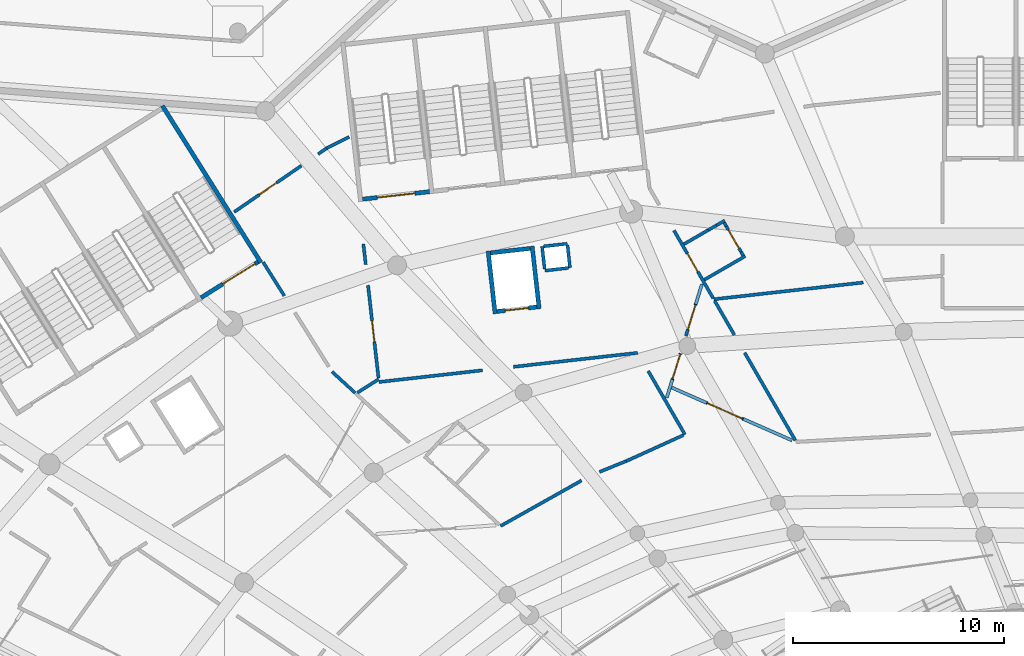
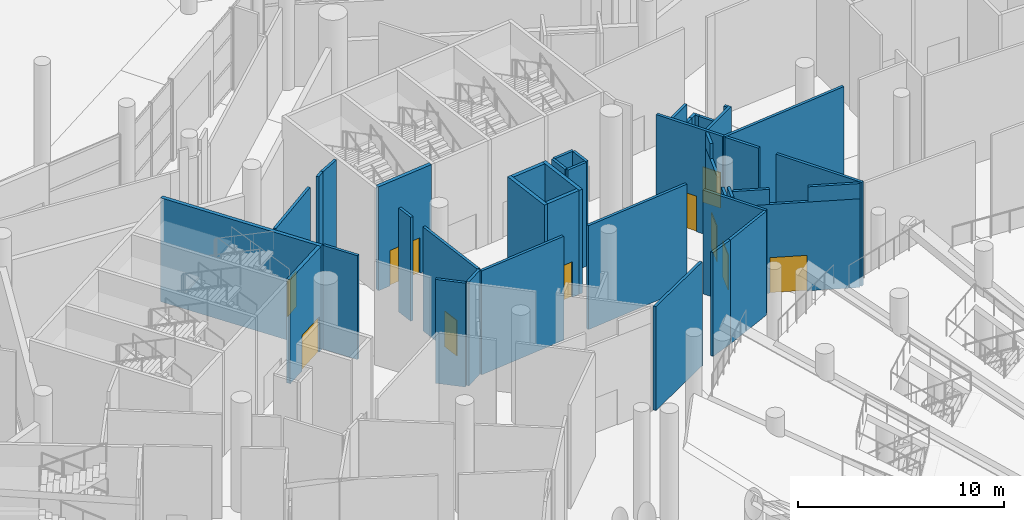
# One storey, part 140 of 255: 43 walls, 10 doors, 10 openings.
"""IFC4 building model written with IfcOpenShell, lengths in metres."""

from ifc_helpers import new_model, si_unit, direction, frame, frame_2d, origin, place, context, subcontext, project, spatial, rectangle, extrude, material, layer, layer_set, type_object, element, fill, save


model = new_model("IFC4")

# Units and contexts
model_context = context("Model", 3, precision=1e-05, world=origin(), true_north=direction((0.0, 1.0)))
body_context = subcontext(model_context, "Body", "Model", "MODEL_VIEW")
ifc_project = project(units=[si_unit("LENGTHUNIT", "METRE"), si_unit("AREAUNIT", "SQUARE_METRE"), si_unit("VOLUMEUNIT", "CUBIC_METRE"), si_unit("PLANEANGLEUNIT", "RADIAN"), si_unit("MASSUNIT", "GRAM", prefix="KILO")], contexts=[model_context])

# Site, building, storey
site_placement = place(None, origin())
site = spatial("IfcSite", under=ifc_project, at=site_placement, CompositionType="ELEMENT")
building_placement = place(site_placement, origin())
building = spatial("IfcBuilding", under=site, at=building_placement, Name="Meseta Stadium", CompositionType="ELEMENT")
storey_placement = place(building_placement, origin())
storey = spatial("IfcBuildingStorey", under=building, at=storey_placement, Name="L00", CompositionType="ELEMENT", Elevation=0.0)

# Wall, opening, door
ifc_material_1 = material(Name="Concrete C40/50", Category="concrete")
ifc_layer_1 = layer(ifc_material_1, 0.199951171875)
ifc_layer_set_1 = layer_set([ifc_layer_1], Name="Core shaft wall 200")
wall_type_1 = type_object("IfcWallType", Name="Core shaft wall 200", PredefinedType="SHEAR", material=ifc_layer_set_1)
wall_1_placement = place(storey_placement, frame((-54.2587890625, 92.03955078125, 0.0), z_axis=(0.0, 0.0, 1.0), x_axis=(-0.993717005286, -0.11192190762, 0.0)))
wall_1 = element("IfcWall", 1, at=wall_1_placement, inside=storey, type_object=wall_type_1, Name="Core 12 L00 stair B2 inner end wall", PredefinedType="SHEAR", context=body_context, shape_type="SweptSolid", body=[
    extrude(rectangle(XDim=3.199951171875, YDim=0.199951171875, at=frame_2d((1.60009765625, 0.0))), origin(), (0.0, 0.0, 1.0), 6.14990234375),
])
opening_1_placement = place(wall_1_placement, frame((0.699951171875, 0.0, 0.0)))
opening_1 = element("IfcOpeningElement", 2, at=opening_1_placement, cuts=wall_1, Name="Opening D170", PredefinedType="OPENING", context=body_context, shape_type="SweptSolid", body=[
    extrude(rectangle(XDim=1.800048828125, YDim=2.10009765625, at=frame_2d((0.89990234375, 1.050048828125))), frame((0.0, 0.10986328125, 0.0), z_axis=(0.0, -1.0, 0.0), x_axis=(1.0, 0.0, 0.0)), (0.0, 0.0, 1.0), 0.219970703125),
])
ifc_material_2 = material(Name="Steel", Category="steel")
door_type_1 = type_object("IfcDoorType", Name="Stair door 1800x2100", OperationType="DOUBLE_DOOR_SINGLE_SWING", PredefinedType="DOOR", material=ifc_material_2)
door_1_placement = place(opening_1_placement, origin())
door_1 = element("IfcDoor", 3, at=door_1_placement, inside=storey, type_object=door_type_1, Name="Stair B2 door 12 L00", OperationType="DOUBLE_DOOR_SINGLE_SWING", OverallHeight=2.10009765625, OverallWidth=1.800048828125, PredefinedType="DOOR", context=body_context, shape_type="SweptSolid", body=[
    extrude(rectangle(XDim=1.800048828125, YDim=2.10009765625, at=frame_2d((0.89990234375, 1.050048828125))), frame((0.0, 0.02490234375, 0.0), z_axis=(0.0, -1.0, 0.0), x_axis=(1.0, 0.0, 0.0)), (0.0, 0.0, 1.0), 0.050048828125),
])
fill(opening_1, door_1)

# Walls
for number, where, z_axis, x_axis, name in (
    (4, (-49.388671875, 89.45361328125, 0.0), (0.0, 0.0, 1.0), (0.111976588553, -0.993710845073, 0.0), "Core 12 L00 lift shaft wall left"),
    (5, (-51.4755859375, 89.218505859375, 0.0), (0.0, 0.0, 1.0), (0.111976588553, -0.993710845073, 0.0), "Core 12 L00 lift shaft wall right"),
):
    element("IfcWall", number, at=place(storey_placement, frame(where, z_axis=z_axis, x_axis=x_axis)), inside=storey, type_object=wall_type_1, Name=name, PredefinedType="SHEAR", context=body_context, shape_type="SweptSolid", body=[
        extrude(rectangle(XDim=3.0, YDim=0.199951171875, at=frame_2d((1.5, 0.0))), origin(), (0.0, 0.0, 1.0), 6.14990234375),
    ])
wall_2_placement = place(storey_placement, frame((-49.476806640625, 89.343017578125, 0.0), z_axis=(0.0, 0.0, 1.0), x_axis=(-0.993718105662, -0.11191213732, 0.0)))
element("IfcWall", 6, at=wall_2_placement, inside=storey, type_object=wall_type_1, Name="Core 12 L00 lift shaft back wall", PredefinedType="SHEAR", context=body_context, shape_type="SweptSolid", body=[
    extrude(rectangle(XDim=1.900146484375, YDim=0.199951171875, at=frame_2d((0.9501953125, 0.0))), origin(), (0.0, 0.0, 1.0), 6.14990234375),
])

# Wall, opening, door
wall_3_placement = place(storey_placement, frame((-49.163330078125, 86.560791015625, 0.0), z_axis=(0.0, 0.0, 1.0), x_axis=(-0.993703808847, -0.112039012324, 0.0)))
wall_3 = element("IfcWall", 7, at=wall_3_placement, inside=storey, type_object=wall_type_1, Name="Core 12 L00 lift shaft front wall", PredefinedType="SHEAR", context=body_context, shape_type="SweptSolid", body=[
    extrude(rectangle(XDim=1.900146484375, YDim=0.199951171875, at=frame_2d((0.9501953125, 0.0))), origin(), (0.0, 0.0, 1.0), 6.14990234375),
])
opening_2_placement = place(wall_3_placement, frame((0.39990234375, 0.0, 0.0)))
opening_2 = element("IfcOpeningElement", 8, at=opening_2_placement, cuts=wall_3, Name="Opening LD64", PredefinedType="OPENING", context=body_context, shape_type="SweptSolid", body=[
    extrude(rectangle(XDim=1.10009765625, YDim=2.10009765625, at=frame_2d((0.550048828125, 1.050048828125))), frame((0.0, 0.10986328125, 0.0), z_axis=(0.0, -1.0, 0.0), x_axis=(1.0, 0.0, 0.0)), (0.0, 0.0, 1.0), 0.219970703125),
])
ifc_material_3 = material(Name="Steel", Category="steel")
door_type_2 = type_object("IfcDoorType", Name="Lift landing door 1100x2100", OperationType="SLIDING_TO_LEFT", PredefinedType="DOOR", material=ifc_material_3)
door_2_placement = place(opening_2_placement, origin())
door_2 = element("IfcDoor", 9, at=door_2_placement, inside=storey, type_object=door_type_2, Name="Lift landing door LD64", OperationType="SLIDING_TO_RIGHT", OverallHeight=2.10009765625, OverallWidth=1.10009765625, PredefinedType="DOOR", context=body_context, shape_type="SweptSolid", body=[
    extrude(rectangle(XDim=1.10009765625, YDim=2.10009765625, at=frame_2d((0.550048828125, 1.050048828125))), frame((0.0, 0.02490234375, 0.0), z_axis=(0.0, -1.0, 0.0), x_axis=(1.0, 0.0, 0.0)), (0.0, 0.0, 1.0), 0.050048828125),
])
fill(opening_2, door_2)

# Wall
wall_4_placement = place(storey_placement, frame((-66.9501953125, 96.123291015625, 0.0), z_axis=(0.0, 0.0, 1.0), x_axis=(0.532032334759, -0.846724036963, 0.0)))
element("IfcWall", 10, at=wall_4_placement, inside=storey, type_object=wall_type_1, Name="Core 13 L00 stair wall A-side", PredefinedType="SHEAR", context=body_context, shape_type="SweptSolid", body=[
    extrude(rectangle(XDim=8.800048828125, YDim=0.199951171875, at=frame_2d((4.39990234375, 0.0))), origin(), (0.0, 0.0, 1.0), 6.14990234375),
])

# Wall, opening, door
wall_5_placement = place(storey_placement, frame((-62.40625, 88.70361328125, 0.0), z_axis=(0.0, 0.0, 1.0), x_axis=(-0.846735733015, -0.532013720158, 0.0)))
wall_5 = element("IfcWall", 11, at=wall_5_placement, inside=storey, type_object=wall_type_1, Name="Core 13 L00 stair A1 inner end wall", PredefinedType="SHEAR", context=body_context, shape_type="SweptSolid", body=[
    extrude(rectangle(XDim=3.199951171875, YDim=0.199951171875, at=frame_2d((1.60009765625, 0.0))), origin(), (0.0, 0.0, 1.0), 6.14990234375),
])
opening_3_placement = place(wall_5_placement, frame((0.177978515625, 0.0, 0.0)))
opening_3 = element("IfcOpeningElement", 12, at=opening_3_placement, cuts=wall_5, Name="Opening D179", PredefinedType="OPENING", context=body_context, shape_type="SweptSolid", body=[
    extrude(rectangle(XDim=1.800048828125, YDim=2.10009765625, at=frame_2d((0.89990234375, 1.050048828125))), frame((0.0, 0.10986328125, 0.0), z_axis=(0.0, -1.0, 0.0), x_axis=(1.0, 0.0, 0.0)), (0.0, 0.0, 1.0), 0.219970703125),
])
door_3_placement = place(opening_3_placement, origin())
door_3 = element("IfcDoor", 13, at=door_3_placement, inside=storey, type_object=door_type_1, Name="Stair A1 door 13 L00", OperationType="DOUBLE_DOOR_SINGLE_SWING", OverallHeight=2.10009765625, OverallWidth=1.800048828125, PredefinedType="DOOR", context=body_context, shape_type="SweptSolid", body=[
    extrude(rectangle(XDim=1.800048828125, YDim=2.10009765625, at=frame_2d((0.89990234375, 1.050048828125))), frame((0.0, 0.02490234375, 0.0), z_axis=(0.0, -1.0, 0.0), x_axis=(1.0, 0.0, 0.0)), (0.0, 0.0, 1.0), 0.050048828125),
])
fill(opening_3, door_3)

# Walls
ifc_material_4 = material(Name="Masonry blockwork", Category="masonry")
ifc_layer_2 = layer(ifc_material_4, 0.14990234375)
ifc_layer_set_2 = layer_set([ifc_layer_2], Name="Partition 150")
wall_type_2 = type_object("IfcWallType", Name="Partition 150", PredefinedType="PARTITIONING", material=ifc_layer_set_2)
wall_6_placement = place(storey_placement, frame((-40.75830078125, 86.9287109375, 0.0), z_axis=(0.0, 0.0, 1.0), x_axis=(0.993792986052, 0.111245228541, 0.0)))
element("IfcWall", 14, at=wall_6_placement, inside=storey, type_object=wall_type_2, Name="Partition L00 L00-cell10-1-0", PredefinedType="PARTITIONING", context=body_context, shape_type="SweptSolid", body=[
    extrude(rectangle(XDim=7.145751953125, YDim=0.14990234375, at=frame_2d((3.57275390625, 0.0))), origin(), (0.0, 0.0, 1.0), 6.14990234375),
])
wall_7_placement = place(storey_placement, frame((-36.884521484375, 80.226806640625, 0.0), z_axis=(0.0, 0.0, 1.0), x_axis=(-0.500421453723, 0.865781940591, 0.0)))
element("IfcWall", 15, at=wall_7_placement, inside=storey, type_object=wall_type_2, Name="Partition L00 L00-cell10-1-0", PredefinedType="PARTITIONING", context=body_context, shape_type="SweptSolid", body=[
    extrude(rectangle(XDim=4.806396484375, YDim=0.14990234375, at=frame_2d((2.4033203125, 0.0))), origin(), (0.0, 0.0, 1.0), 6.14990234375),
])
wall_8_placement = place(storey_placement, frame((-39.779296875, 85.23486328125, 0.0), z_axis=(0.0, 0.0, 1.0), x_axis=(-0.500425153996, 0.865779801825, 0.0)))
element("IfcWall", 16, at=wall_8_placement, inside=storey, type_object=wall_type_2, Name="Partition L00 L00-cell10-1-0", PredefinedType="PARTITIONING", context=body_context, shape_type="SweptSolid", body=[
    extrude(rectangle(XDim=1.874267578125, YDim=0.14990234375, at=frame_2d((0.93701171875, 0.0))), origin(), (0.0, 0.0, 1.0), 6.14990234375),
])

# Wall, opening, door
wall_9_placement = place(storey_placement, frame((-40.783447265625, 86.9716796875, 0.0), z_axis=(0.0, 0.0, 1.0), x_axis=(-0.50040316576, 0.865792510765, 0.0)))
wall_9 = element("IfcWall", 17, at=wall_9_placement, inside=storey, type_object=wall_type_2, Name="Partition L00 L00-cell10-2-0", PredefinedType="PARTITIONING", context=body_context, shape_type="SweptSolid", body=[
    extrude(rectangle(XDim=3.72509765625, YDim=0.14990234375, at=frame_2d((1.862548828125, 0.0))), origin(), (0.0, 0.0, 1.0), 6.14990234375),
])
opening_4_placement = place(wall_9_placement, frame((1.449951171875, 0.0, 0.0)))
opening_4 = element("IfcOpeningElement", 18, at=opening_4_placement, cuts=wall_9, Name="Opening D563", PredefinedType="OPENING", context=body_context, shape_type="SweptSolid", body=[
    extrude(rectangle(XDim=1.0, YDim=2.10009765625, at=frame_2d((0.5, 1.050048828125))), frame((0.0, 0.0849609375, 0.0), z_axis=(0.0, -1.0, 0.0), x_axis=(1.0, 0.0, 0.0)), (0.0, 0.0, 1.0), 0.169921875),
])
ifc_material_5 = material(Name="Steel", Category="steel")
door_type_3 = type_object("IfcDoorType", Name="Fire door 1000x2100 EI2 60", OperationType="NOTDEFINED", PredefinedType="DOOR", material=ifc_material_5)
door_4_placement = place(opening_4_placement, origin())
door_4 = element("IfcDoor", 19, at=door_4_placement, inside=storey, type_object=door_type_3, Name="Door D563", OperationType="SINGLE_SWING_RIGHT", OverallHeight=2.10009765625, OverallWidth=1.0, PredefinedType="DOOR", context=body_context, shape_type="SweptSolid", body=[
    extrude(rectangle(XDim=1.0, YDim=2.10009765625, at=frame_2d((0.5, 1.050048828125))), frame((0.0, 0.02490234375, 0.0), z_axis=(0.0, -1.0, 0.0), x_axis=(1.0, 0.0, 0.0)), (0.0, 0.0, 1.0), 0.050048828125),
])
fill(opening_4, door_4)

# Walls
wall_10_placement = place(storey_placement, frame((-56.66162109375, 82.998779296875, 0.0), z_axis=(0.0, 0.0, 1.0), x_axis=(0.993712870511, 0.111958612801, 0.0)))
element("IfcWall", 20, at=wall_10_placement, inside=storey, type_object=wall_type_2, Name="Partition L00 L00-cell11-1-0", PredefinedType="PARTITIONING", context=body_context, shape_type="SweptSolid", body=[
    extrude(rectangle(XDim=4.94775390625, YDim=0.14990234375, at=frame_2d((2.473876953125, 0.0))), origin(), (0.0, 0.0, 1.0), 6.14990234375),
])
wall_11_placement = place(storey_placement, frame((-50.269775390625, 83.718994140625, 0.0), z_axis=(0.0, 0.0, 1.0), x_axis=(0.993712058641, 0.1119658185, 0.0)))
element("IfcWall", 21, at=wall_11_placement, inside=storey, type_object=wall_type_2, Name="Partition L00 L00-cell11-1-0", PredefinedType="PARTITIONING", context=body_context, shape_type="SweptSolid", body=[
    extrude(rectangle(XDim=5.9375, YDim=0.14990234375, at=frame_2d((2.96875, 0.0))), origin(), (0.0, 0.0, 1.0), 6.14990234375),
])
wall_12_placement = place(storey_placement, frame((-43.871337890625, 83.52197265625, 0.0), z_axis=(0.0, 0.0, 1.0), x_axis=(0.500464379509, -0.865757128092, 0.0)))
element("IfcWall", 22, at=wall_12_placement, inside=storey, type_object=wall_type_2, Name="Partition L00 L00-cell11-1-0", PredefinedType="PARTITIONING", context=body_context, shape_type="SweptSolid", body=[
    extrude(rectangle(XDim=3.484130859375, YDim=0.14990234375, at=frame_2d((1.7421875, 0.0))), origin(), (0.0, 0.0, 1.0), 6.14990234375),
])
wall_13_placement = place(storey_placement, frame((-42.196533203125, 80.474365234375, 0.0), z_axis=(0.0, 0.0, 1.0), x_axis=(-0.91056221748, -0.413372045617, 0.0)))
element("IfcWall", 23, at=wall_13_placement, inside=storey, type_object=wall_type_2, Name="Partition L00 L00-cell11-1-0", PredefinedType="PARTITIONING", context=body_context, shape_type="SweptSolid", body=[
    extrude(rectangle(XDim=2.988525390625, YDim=0.14990234375, at=frame_2d((1.494140625, 0.0))), origin(), (0.0, 0.0, 1.0), 6.14990234375),
])
wall_14_placement = place(storey_placement, frame((-44.917724609375, 79.239013671875, 0.0), z_axis=(0.0, 0.0, 1.0), x_axis=(-0.92776145189, -0.373173804529, 0.0)))
element("IfcWall", 24, at=wall_14_placement, inside=storey, type_object=wall_type_2, Name="Partition L00 L00-cell11-1-0", PredefinedType="PARTITIONING", context=body_context, shape_type="SweptSolid", body=[
    extrude(rectangle(XDim=1.36865234375, YDim=0.14990234375, at=frame_2d((0.684326171875, 0.0))), origin(), (0.0, 0.0, 1.0), 6.14990234375),
])
wall_15_placement = place(storey_placement, frame((-47.0380859375, 78.318115234375, 0.0), z_axis=(0.0, 0.0, 1.0), x_axis=(-0.871726265014, -0.489993182487, 0.0)))
element("IfcWall", 25, at=wall_15_placement, inside=storey, type_object=wall_type_2, Name="Partition L00 L00-cell11-1-0", PredefinedType="PARTITIONING", context=body_context, shape_type="SweptSolid", body=[
    extrude(rectangle(XDim=4.4111328125, YDim=0.14990234375, at=frame_2d((2.20556640625, 0.0))), origin(), (0.0, 0.0, 1.0), 6.14990234375),
])
wall_16_placement = place(storey_placement, frame((-57.687744140625, 82.4873046875, 0.0), z_axis=(0.0, 0.0, 1.0), x_axis=(0.844198175742, 0.536031193192, 0.0)))
element("IfcWall", 26, at=wall_16_placement, inside=storey, type_object=wall_type_2, Name="Partition L00 L00-cell11-1-0", PredefinedType="PARTITIONING", context=body_context, shape_type="SweptSolid", body=[
    extrude(rectangle(XDim=1.19775390625, YDim=0.14990234375, at=frame_2d((0.598876953125, 0.0))), origin(), (0.0, 0.0, 1.0), 6.14990234375),
])

# Wall, opening, door
wall_17_placement = place(storey_placement, frame((-60.348388671875, 93.272216796875, 0.0), z_axis=(0.0, 0.0, 1.0), x_axis=(-0.823118384127, -0.567869814053, 0.0)))
wall_17 = element("IfcWall", 27, at=wall_17_placement, inside=storey, type_object=wall_type_2, Name="Partition L00 L00-cell11-2-0", PredefinedType="PARTITIONING", context=body_context, shape_type="SweptSolid", body=[
    extrude(rectangle(XDim=3.876708984375, YDim=0.14990234375, at=frame_2d((1.9384765625, 0.0))), origin(), (0.0, 0.0, 1.0), 6.14990234375),
])
opening_5_placement = place(wall_17_placement, frame((1.426513671875, 0.0, 0.0)))
opening_5 = element("IfcOpeningElement", 28, at=opening_5_placement, cuts=wall_17, Name="Opening D567", PredefinedType="OPENING", context=body_context, shape_type="SweptSolid", body=[
    extrude(rectangle(XDim=1.0, YDim=2.10009765625, at=frame_2d((0.5, 1.050048828125))), frame((0.0, 0.0849609375, 0.0), z_axis=(0.0, -1.0, 0.0), x_axis=(1.0, 0.0, 0.0)), (0.0, 0.0, 1.0), 0.169921875),
])
door_5_placement = place(opening_5_placement, origin())
door_5 = element("IfcDoor", 29, at=door_5_placement, inside=storey, type_object=door_type_3, Name="Door D567", OperationType="SINGLE_SWING_LEFT", OverallHeight=2.10009765625, OverallWidth=1.0, PredefinedType="DOOR", context=body_context, shape_type="SweptSolid", body=[
    extrude(rectangle(XDim=1.0, YDim=2.10009765625, at=frame_2d((0.5, 1.050048828125))), frame((0.0, 0.02490234375, 0.0), z_axis=(0.0, -1.0, 0.0), x_axis=(1.0, 0.0, 0.0)), (0.0, 0.0, 1.0), 0.050048828125),
])
fill(opening_5, door_5)

# Walls
wall_18_placement = place(storey_placement, frame((-59.55078125, 93.822509765625, 0.0), z_axis=(0.0, 0.0, 1.0), x_axis=(0.823188427996, 0.567768273165, 0.0)))
element("IfcWall", 30, at=wall_18_placement, inside=storey, type_object=wall_type_2, Name="Partition L00 L00-cell11-2-0", PredefinedType="PARTITIONING", context=body_context, shape_type="SweptSolid", body=[
    extrude(rectangle(XDim=0.484619140625, YDim=0.14990234375, at=frame_2d((0.2421875, 0.0))), origin(), (0.0, 0.0, 1.0), 6.14990234375),
])
wall_19_placement = place(storey_placement, frame((-59.15185546875, 94.09765625, 0.0), z_axis=(0.0, 0.0, 1.0), x_axis=(0.89288454256, 0.450285680049, 0.0)))
element("IfcWall", 31, at=wall_19_placement, inside=storey, type_object=wall_type_2, Name="Partition L00 L00-cell11-2-0", PredefinedType="PARTITIONING", context=body_context, shape_type="SweptSolid", body=[
    extrude(rectangle(XDim=1.20703125, YDim=0.14990234375, at=frame_2d((0.603515625, 0.0))), origin(), (0.0, 0.0, 1.0), 6.14990234375),
])
wall_20_placement = place(storey_placement, frame((-57.790283203125, 82.4794921875, 0.0), z_axis=(0.0, 0.0, 1.0), x_axis=(-0.737580634044, 0.675259067531, 0.0)))
element("IfcWall", 32, at=wall_20_placement, inside=storey, type_object=wall_type_2, Name="Partition L00 L00-cell11-2-0", PredefinedType="PARTITIONING", context=body_context, shape_type="SweptSolid", body=[
    extrude(rectangle(XDim=1.496337890625, YDim=0.14990234375, at=frame_2d((0.748046875, 0.0))), origin(), (0.0, 0.0, 1.0), 6.14990234375),
])
wall_21_placement = place(storey_placement, frame((-61.15673828125, 87.091064453125, 0.0), z_axis=(0.0, 0.0, 1.0), x_axis=(-0.532052497691, 0.84671136741, 0.0)))
element("IfcWall", 33, at=wall_21_placement, inside=storey, type_object=wall_type_2, Name="Partition L00 L00-cell11-2-0", PredefinedType="PARTITIONING", context=body_context, shape_type="SweptSolid", body=[
    extrude(rectangle(XDim=1.89013671875, YDim=0.14990234375, at=frame_2d((0.945068359375, 0.0))), origin(), (0.0, 0.0, 1.0), 6.14990234375),
])
wall_22_placement = place(storey_placement, frame((-57.400634765625, 89.557373046875, 0.0), z_axis=(0.0, 0.0, 1.0), x_axis=(0.111977847894, -0.993710703163, 0.0)))
element("IfcWall", 34, at=wall_22_placement, inside=storey, type_object=wall_type_2, Name="Partition L00 L00-cell11-2-0", PredefinedType="PARTITIONING", context=body_context, shape_type="SweptSolid", body=[
    extrude(rectangle(XDim=0.987548828125, YDim=0.14990234375, at=frame_2d((0.49365234375, 0.0))), origin(), (0.0, 0.0, 1.0), 6.14990234375),
])

# Wall, opening, door
wall_23_placement = place(storey_placement, frame((-57.1796875, 87.5947265625, 0.0), z_axis=(0.0, 0.0, 1.0), x_axis=(0.112023313707, -0.993705578723, 0.0)))
wall_23 = element("IfcWall", 35, at=wall_23_placement, inside=storey, type_object=wall_type_2, Name="Partition L00 L00-cell11-2-0", PredefinedType="PARTITIONING", context=body_context, shape_type="SweptSolid", body=[
    extrude(rectangle(XDim=4.44384765625, YDim=0.14990234375, at=frame_2d((2.221923828125, 0.0))), origin(), (0.0, 0.0, 1.0), 6.14990234375),
])
opening_6_placement = place(wall_23_placement, frame((1.699951171875, 0.0, 0.0)))
opening_6 = element("IfcOpeningElement", 36, at=opening_6_placement, cuts=wall_23, Name="Opening D566", PredefinedType="OPENING", context=body_context, shape_type="SweptSolid", body=[
    extrude(rectangle(XDim=1.0, YDim=2.10009765625, at=frame_2d((0.5, 1.050048828125))), frame((0.0, 0.0849609375, 0.0), z_axis=(0.0, -1.0, 0.0), x_axis=(1.0, 0.0, 0.0)), (0.0, 0.0, 1.0), 0.169921875),
])
door_6_placement = place(opening_6_placement, origin())
door_6 = element("IfcDoor", 37, at=door_6_placement, inside=storey, type_object=door_type_3, Name="Door D566", OperationType="SINGLE_SWING_RIGHT", OverallHeight=2.10009765625, OverallWidth=1.0, PredefinedType="DOOR", context=body_context, shape_type="SweptSolid", body=[
    extrude(rectangle(XDim=1.0, YDim=2.10009765625, at=frame_2d((0.5, 1.050048828125))), frame((0.0, 0.02490234375, 0.0), z_axis=(0.0, -1.0, 0.0), x_axis=(1.0, 0.0, 0.0)), (0.0, 0.0, 1.0), 0.050048828125),
])
fill(opening_6, door_6)

# Walls
wall_24_placement = place(storey_placement, frame((-47.7158203125, 89.566650390625, 0.0), z_axis=(0.0, 0.0, 1.0), x_axis=(-0.993710504932, -0.11197960702, 0.0)))
element("IfcWall", 38, at=wall_24_placement, inside=storey, type_object=wall_type_2, Name="Pressurisation shaft wall L00 core 12", PredefinedType="PARTITIONING", context=body_context, shape_type="SweptSolid", body=[
    extrude(rectangle(XDim=1.125, YDim=0.14990234375, at=frame_2d((0.5625, 0.0))), origin(), (0.0, 0.0, 1.0), 6.14990234375),
])
wall_25_placement = place(storey_placement, frame((-48.908203125, 89.432373046875, 0.0), z_axis=(0.0, 0.0, 1.0), x_axis=(0.111951742856, -0.993713644503, 0.0)))
element("IfcWall", 39, at=wall_25_placement, inside=storey, type_object=wall_type_2, Name="Pressurisation shaft wall L00 core 12", PredefinedType="PARTITIONING", context=body_context, shape_type="SweptSolid", body=[
    extrude(rectangle(XDim=1.0751953125, YDim=0.14990234375, at=frame_2d((0.53759765625, 0.0))), origin(), (0.0, 0.0, 1.0), 6.14990234375),
])
wall_26_placement = place(storey_placement, frame((-48.779541015625, 88.28955078125, 0.0), z_axis=(0.0, 0.0, 1.0), x_axis=(0.993710504932, 0.11197960702, 0.0)))
element("IfcWall", 40, at=wall_26_placement, inside=storey, type_object=wall_type_2, Name="Pressurisation shaft wall L00 core 12", PredefinedType="PARTITIONING", context=body_context, shape_type="SweptSolid", body=[
    extrude(rectangle(XDim=1.125, YDim=0.14990234375, at=frame_2d((0.5625, 0.0))), origin(), (0.0, 0.0, 1.0), 6.14990234375),
])
wall_27_placement = place(storey_placement, frame((-47.587158203125, 88.423828125, 0.0), z_axis=(0.0, 0.0, 1.0), x_axis=(-0.111951742856, 0.993713644503, 0.0)))
element("IfcWall", 41, at=wall_27_placement, inside=storey, type_object=wall_type_2, Name="Pressurisation shaft wall L00 core 12", PredefinedType="PARTITIONING", context=body_context, shape_type="SweptSolid", body=[
    extrude(rectangle(XDim=1.0751953125, YDim=0.14990234375, at=frame_2d((0.53759765625, 0.0))), origin(), (0.0, 0.0, 1.0), 6.14990234375),
])
wall_28_placement = place(storey_placement, frame((-41.206298828125, 87.853515625, 0.0), z_axis=(0.0, 0.0, 1.0), x_axis=(0.865775232905, 0.500433058548, 0.0)))
element("IfcWall", 42, at=wall_28_placement, inside=storey, type_object=wall_type_2, Name="Partition L00 L00-cell10-2-0 vestibule", PredefinedType="PARTITIONING", context=body_context, shape_type="SweptSolid", body=[
    extrude(rectangle(XDim=2.25, YDim=0.14990234375, at=frame_2d((1.125, 0.0))), origin(), (0.0, 0.0, 1.0), 6.14990234375),
])
wall_29_placement = place(storey_placement, frame((-42.18212890625, 89.541748046875, 0.0), z_axis=(0.0, 0.0, 1.0), x_axis=(0.865772787536, 0.50043728914, 0.0)))
element("IfcWall", 43, at=wall_29_placement, inside=storey, type_object=wall_type_2, Name="Partition L00 L00-cell10-2-0 vestibule", PredefinedType="PARTITIONING", context=body_context, shape_type="SweptSolid", body=[
    extrude(rectangle(XDim=1.349853515625, YDim=0.14990234375, at=frame_2d((0.6748046875, 0.0))), origin(), (0.0, 0.0, 1.0), 6.14990234375),
])
wall_30_placement = place(storey_placement, frame((-41.013427734375, 90.21728515625, 0.0), z_axis=(0.0, 0.0, 1.0), x_axis=(0.865896406789, 0.500223362819, 0.0)))
element("IfcWall", 44, at=wall_30_placement, inside=storey, type_object=wall_type_2, Name="Partition L00 L00-cell10-2-0 vestibule", PredefinedType="PARTITIONING", context=body_context, shape_type="SweptSolid", body=[
    extrude(rectangle(XDim=0.449951171875, YDim=0.14990234375, at=frame_2d((0.22509765625, 0.0))), origin(), (0.0, 0.0, 1.0), 5.050048828125),
])
wall_31_placement = place(storey_placement, frame((-40.623779296875, 90.4423828125, 0.0), z_axis=(0.0, 0.0, 1.0), x_axis=(0.865661377728, 0.500629982232, 0.0)))
element("IfcWall", 45, at=wall_31_placement, inside=storey, type_object=wall_type_2, Name="Partition L00 L00-cell10-2-0 vestibule", PredefinedType="PARTITIONING", context=body_context, shape_type="SweptSolid", body=[
    extrude(rectangle(XDim=0.4501953125, YDim=0.14990234375, at=frame_2d((0.22509765625, 0.0))), origin(), (0.0, 0.0, 1.0), 5.050048828125),
])
wall_32_placement = place(storey_placement, frame((-39.36083984375, 89.0068359375, 0.0), z_axis=(0.0, 0.0, 1.0), x_axis=(-0.500603037456, 0.865676959893, 0.0)))
element("IfcWall", 46, at=wall_32_placement, inside=storey, type_object=wall_type_2, Name="Partition L00 L00-cell10-2-0 vestibule", PredefinedType="PARTITIONING", context=body_context, shape_type="SweptSolid", body=[
    extrude(rectangle(XDim=0.199951171875, YDim=0.14990234375, at=frame_2d((0.10009765625, 0.0))), origin(), (0.0, 0.0, 1.0), 6.14990234375),
])

# Wall, opening, door
wall_33_placement = place(storey_placement, frame((-39.4609375, 89.179931640625, 0.0), z_axis=(0.0, 0.0, 1.0), x_axis=(-0.500451896662, 0.865764343876, 0.0)))
wall_33 = element("IfcWall", 47, at=wall_33_placement, inside=storey, type_object=wall_type_2, Name="Partition L00 L00-cell10-2-0 vestibule", PredefinedType="PARTITIONING", context=body_context, shape_type="SweptSolid", body=[
    extrude(rectangle(XDim=1.400146484375, YDim=0.14990234375, at=frame_2d((0.7001953125, 0.0))), origin(), (0.0, 0.0, 1.0), 5.050048828125),
])
opening_7_placement = place(wall_33_placement, frame((0.199951171875, 0.0, 0.0)))
opening_7 = element("IfcOpeningElement", 48, at=opening_7_placement, cuts=wall_33, Name="Opening D839", PredefinedType="OPENING", context=body_context, shape_type="SweptSolid", body=[
    extrude(rectangle(XDim=1.0, YDim=2.10009765625, at=frame_2d((0.5, 1.050048828125))), frame((0.0, 0.0849609375, 0.0), z_axis=(0.0, -1.0, 0.0), x_axis=(1.0, 0.0, 0.0)), (0.0, 0.0, 1.0), 0.169921875),
])
door_7_placement = place(opening_7_placement, origin())
door_7 = element("IfcDoor", 49, at=door_7_placement, inside=storey, type_object=door_type_3, Name="Vestibule door L00 L00-cell10-2-0", OperationType="SINGLE_SWING_RIGHT", OverallHeight=2.10009765625, OverallWidth=1.0, PredefinedType="DOOR", context=body_context, shape_type="SweptSolid", body=[
    extrude(rectangle(XDim=1.0, YDim=2.10009765625, at=frame_2d((0.5, 1.050048828125))), frame((0.0, 0.02490234375, 0.0), z_axis=(0.0, -1.0, 0.0), x_axis=(1.0, 0.0, 0.0)), (0.0, 0.0, 1.0), 0.050048828125),
])
fill(opening_7, door_7)

# Wall
wall_34_placement = place(storey_placement, frame((-40.16162109375, 90.39208984375, 0.0), z_axis=(0.0, 0.0, 1.0), x_axis=(-0.500603037456, 0.865676959893, 0.0)))
element("IfcWall", 50, at=wall_34_placement, inside=storey, type_object=wall_type_2, Name="Partition L00 L00-cell10-2-0 vestibule", PredefinedType="PARTITIONING", context=body_context, shape_type="SweptSolid", body=[
    extrude(rectangle(XDim=0.199951171875, YDim=0.14990234375, at=frame_2d((0.10009765625, 0.0))), origin(), (0.0, 0.0, 1.0), 5.050048828125),
])

# Wall, opening, door
wall_35_placement = place(storey_placement, frame((-41.319580078125, 87.646240234375, 0.0), z_axis=(0.0, 0.0, 1.0), x_axis=(-0.295926199313, -0.955210806346, 0.0)))
wall_35 = element("IfcWall", 51, at=wall_35_placement, inside=storey, type_object=wall_type_2, Name="Escape corridor sector wall L00 core 12", PredefinedType="PARTITIONING", context=body_context, shape_type="SweptSolid", body=[
    extrude(rectangle(XDim=2.58154296875, YDim=0.14990234375, at=frame_2d((1.290771484375, 0.0))), origin(), (0.0, 0.0, 1.0), 5.25),
])
opening_8_placement = place(wall_35_placement, frame((1.050048828125, 0.0, 0.0)))
opening_8 = element("IfcOpeningElement", 52, at=opening_8_placement, cuts=wall_35, Name="Opening D416", PredefinedType="OPENING", context=body_context, shape_type="SweptSolid", body=[
    extrude(rectangle(XDim=1.199951171875, YDim=2.10009765625, at=frame_2d((0.60009765625, 1.050048828125))), frame((0.0, 0.0849609375, 0.0), z_axis=(0.0, -1.0, 0.0), x_axis=(1.0, 0.0, 0.0)), (0.0, 0.0, 1.0), 0.169921875),
])
ifc_material_6 = material(Name="Steel", Category="steel")
door_type_4 = type_object("IfcDoorType", Name="Fire door 1200x2100 EI2 60", OperationType="NOTDEFINED", PredefinedType="DOOR", material=ifc_material_6)
door_8_placement = place(opening_8_placement, origin())
door_8 = element("IfcDoor", 53, at=door_8_placement, inside=storey, type_object=door_type_4, Name="Escape corridor door EC12-1", OperationType="SINGLE_SWING_RIGHT", OverallHeight=2.10009765625, OverallWidth=1.199951171875, PredefinedType="DOOR", context=body_context, shape_type="SweptSolid", body=[
    extrude(rectangle(XDim=1.199951171875, YDim=2.10009765625, at=frame_2d((0.60009765625, 1.050048828125))), frame((0.0, 0.02490234375, 0.0), z_axis=(0.0, -1.0, 0.0), x_axis=(1.0, 0.0, 0.0)), (0.0, 0.0, 1.0), 0.050048828125),
])
fill(opening_8, door_8)

wall_36_placement = place(storey_placement, frame((-42.339111328125, 84.355712890625, 0.0), z_axis=(0.0, 0.0, 1.0), x_axis=(-0.295938996012, -0.955206841809, 0.0)))
wall_36 = element("IfcWall", 54, at=wall_36_placement, inside=storey, type_object=wall_type_2, Name="Escape corridor sector wall L00 core 12", PredefinedType="PARTITIONING", context=body_context, shape_type="SweptSolid", body=[
    extrude(rectangle(XDim=2.20263671875, YDim=0.14990234375, at=frame_2d((1.101318359375, 0.0))), origin(), (0.0, 0.0, 1.0), 5.25),
])
opening_9_placement = place(wall_36_placement, frame((0.050048828125, 0.0, 0.0)))
opening_9 = element("IfcOpeningElement", 55, at=opening_9_placement, cuts=wall_36, Name="Opening D1679", PredefinedType="OPENING", context=body_context, shape_type="SweptSolid", body=[
    extrude(rectangle(XDim=1.199951171875, YDim=2.10009765625, at=frame_2d((0.60009765625, 1.050048828125))), frame((0.0, 0.0849609375, 0.0), z_axis=(0.0, -1.0, 0.0), x_axis=(1.0, 0.0, 0.0)), (0.0, 0.0, 1.0), 0.169921875),
])
door_9_placement = place(opening_9_placement, origin())
door_9 = element("IfcDoor", 56, at=door_9_placement, inside=storey, type_object=door_type_4, Name="Escape corridor door EC12-2", OperationType="SINGLE_SWING_LEFT", OverallHeight=2.10009765625, OverallWidth=1.199951171875, PredefinedType="DOOR", context=body_context, shape_type="SweptSolid", body=[
    extrude(rectangle(XDim=1.199951171875, YDim=2.10009765625, at=frame_2d((0.60009765625, 1.050048828125))), frame((0.0, 0.02490234375, 0.0), z_axis=(0.0, -1.0, 0.0), x_axis=(1.0, 0.0, 0.0)), (0.0, 0.0, 1.0), 0.050048828125),
])
fill(opening_9, door_9)

# Walls
wall_37_placement = place(storey_placement, frame((-41.319580078125, 87.646240234375, 5.25), z_axis=(0.0, 0.0, 1.0), x_axis=(-0.295938375574, -0.955207034031, 0.0)))
element("IfcWall", 57, at=wall_37_placement, inside=storey, type_object=wall_type_2, Name="Escape corridor sector wall L00 core 12", PredefinedType="PARTITIONING", context=body_context, shape_type="SweptSolid", body=[
    extrude(rectangle(XDim=0.999755859375, YDim=0.14990234375, at=frame_2d((0.5, 0.0))), origin(), (0.0, 0.0, 1.0), 0.89990234375),
])
wall_38_placement = place(storey_placement, frame((-42.723876953125, 83.11376953125, 5.25), z_axis=(0.0, 0.0, 1.0), x_axis=(-0.29594821837, -0.95520398452, 0.0)))
element("IfcWall", 58, at=wall_38_placement, inside=storey, type_object=wall_type_2, Name="Escape corridor sector wall L00 core 12", PredefinedType="PARTITIONING", context=body_context, shape_type="SweptSolid", body=[
    extrude(rectangle(XDim=0.902587890625, YDim=0.14990234375, at=frame_2d((0.451171875, 0.0))), origin(), (0.0, 0.0, 1.0), 0.89990234375),
])

# Wall, opening, door
wall_39_placement = place(storey_placement, frame((-37.0400390625, 80.223876953125, 0.0), z_axis=(0.0, 0.0, 1.0), x_axis=(-0.915587120026, 0.402119665825, 0.0)))
wall_39 = element("IfcWall", 59, at=wall_39_placement, inside=storey, type_object=wall_type_2, Name="Escape corridor discharge wall L00 core 12", PredefinedType="PARTITIONING", context=body_context, shape_type="SweptSolid", body=[
    extrude(rectangle(XDim=6.240234375, YDim=0.14990234375, at=frame_2d((3.1201171875, 0.0))), origin(), (0.0, 0.0, 1.0), 5.25),
])
opening_10_placement = place(wall_39_placement, frame((2.590087890625, 0.0, 0.0)))
opening_10 = element("IfcOpeningElement", 60, at=opening_10_placement, cuts=wall_39, Name="Opening D388", PredefinedType="OPENING", context=body_context, shape_type="SweptSolid", body=[
    extrude(rectangle(XDim=1.800048828125, YDim=2.10009765625, at=frame_2d((0.89990234375, 1.050048828125))), frame((0.0, 0.0849609375, 0.0), z_axis=(0.0, -1.0, 0.0), x_axis=(1.0, 0.0, 0.0)), (0.0, 0.0, 1.0), 0.169921875),
])
ifc_material_7 = material(Name="Steel", Category="steel")
door_type_5 = type_object("IfcDoorType", Name="Fire double door 1800x2100 EI2 60", OperationType="DOUBLE_DOOR_SINGLE_SWING", PredefinedType="DOOR", material=ifc_material_7)
door_10_placement = place(opening_10_placement, origin())
door_10 = element("IfcDoor", 61, at=door_10_placement, inside=storey, type_object=door_type_5, Name="Stair discharge door SD12-1", OperationType="DOUBLE_DOOR_SINGLE_SWING", OverallHeight=2.10009765625, OverallWidth=1.800048828125, PredefinedType="DOOR", context=body_context, shape_type="SweptSolid", body=[
    extrude(rectangle(XDim=1.800048828125, YDim=2.10009765625, at=frame_2d((0.89990234375, 1.050048828125))), frame((0.0, 0.02490234375, 0.0), z_axis=(0.0, -1.0, 0.0), x_axis=(1.0, 0.0, 0.0)), (0.0, 0.0, 1.0), 0.050048828125),
])
fill(opening_10, door_10)

# Walls
wall_40_placement = place(storey_placement, frame((-41.0869140625, 82.001220703125, 5.25), z_axis=(0.0, 0.0, 1.0), x_axis=(-0.915583811123, 0.402127199787, 0.0)))
element("IfcWall", 62, at=wall_40_placement, inside=storey, type_object=wall_type_2, Name="Escape corridor discharge wall L00 core 12", PredefinedType="PARTITIONING", context=body_context, shape_type="SweptSolid", body=[
    extrude(rectangle(XDim=1.820068359375, YDim=0.14990234375, at=frame_2d((0.91015625, 0.0))), origin(), (0.0, 0.0, 1.0), 0.89990234375),
])
wall_41_placement = place(storey_placement, frame((-37.0400390625, 80.223876953125, 5.25), z_axis=(0.0, 0.0, 1.0), x_axis=(-0.915585122498, 0.40212421397, 0.0)))
element("IfcWall", 63, at=wall_41_placement, inside=storey, type_object=wall_type_2, Name="Escape corridor discharge wall L00 core 12", PredefinedType="PARTITIONING", context=body_context, shape_type="SweptSolid", body=[
    extrude(rectangle(XDim=2.530517578125, YDim=0.14990234375, at=frame_2d((1.26513671875, 0.0))), origin(), (0.0, 0.0, 1.0), 0.89990234375),
])

save(model, "model.ifc")
